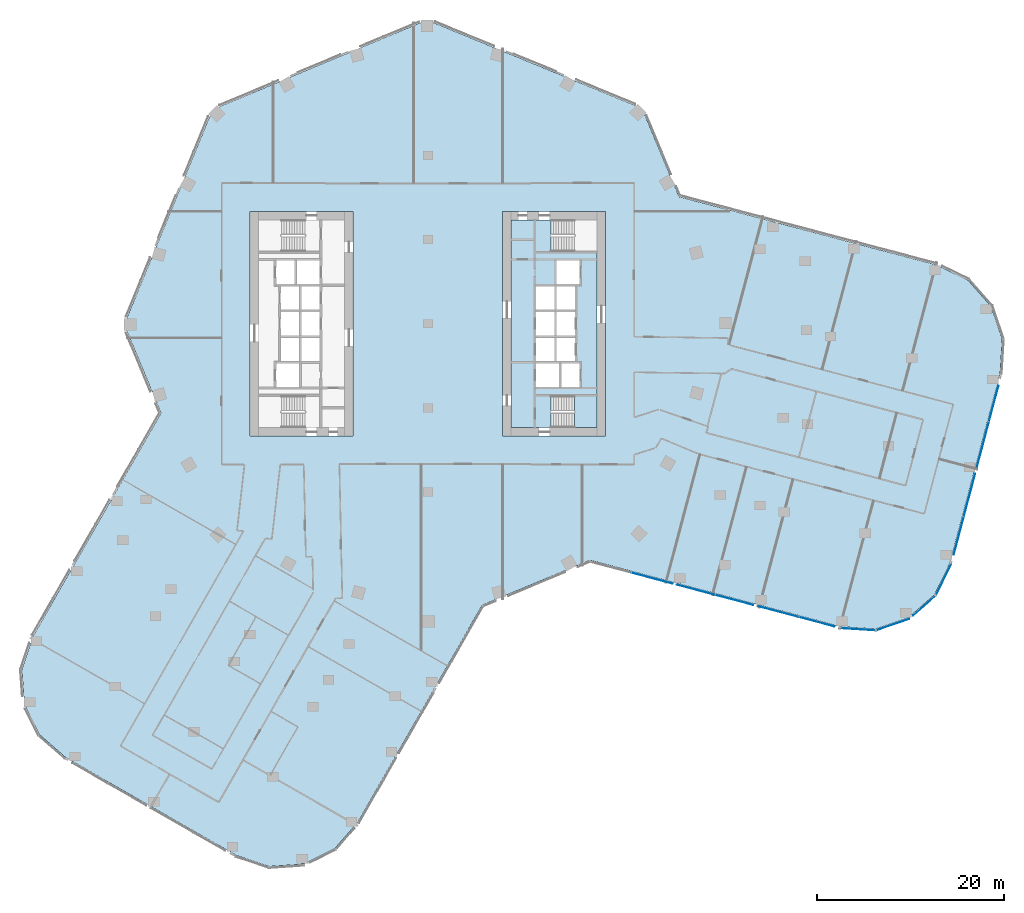
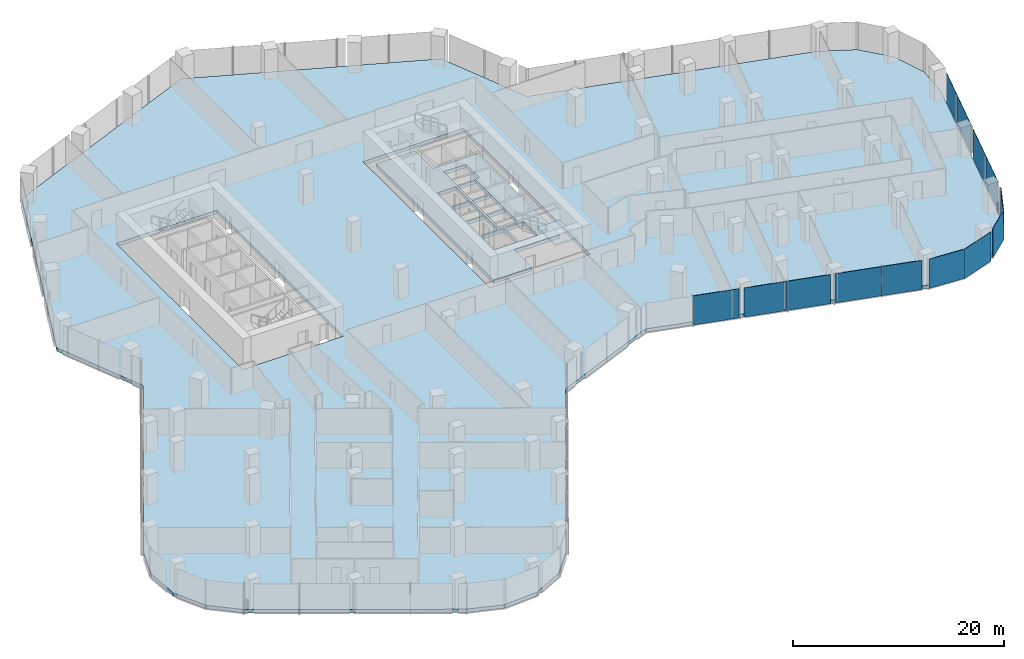
# One storey, part 22 of 34: 13 plates, 3 slabs, 7 elements without a shape of their own.
"""IFC4 building model written with IfcOpenShell, lengths in metres."""

from ifc_helpers import new_model, si_unit, direction, frame, origin, origin_2d, place, context, subcontext, project, spatial, polyline, rectangle, outline, extrude, material, layer, layer_set, type_object, element, aggregate, save


model = new_model("IFC4")

# Units and contexts
model_context = context("Model", 3, precision=1e-05, world=origin(), true_north=direction((0.0, 1.0)))
body_context = subcontext(model_context, "Body", "Model", "MODEL_VIEW")
ifc_project = project(units=[si_unit("LENGTHUNIT", "METRE"), si_unit("AREAUNIT", "SQUARE_METRE"), si_unit("VOLUMEUNIT", "CUBIC_METRE"), si_unit("PLANEANGLEUNIT", "RADIAN"), si_unit("MASSUNIT", "GRAM", prefix="KILO")], contexts=[model_context])

# Site, building, storey
site_placement = place(None, origin())
site = spatial("IfcSite", under=ifc_project, at=site_placement, CompositionType="ELEMENT")
building_placement = place(site_placement, origin())
building = spatial("IfcBuilding", under=site, at=building_placement, Name="Orlundy Tower", CompositionType="ELEMENT")
storey_placement = place(building_placement, frame((0.0, 0.0, 109.199951171875)))
storey = spatial("IfcBuildingStorey", under=building, at=storey_placement, Name="L27", CompositionType="ELEMENT", Elevation=109.199951171875)

# Curtain wall, plates
ifc_material_1 = material(Name="Aluminium bronze anodised", Category="aluminium")
curtain_wall_type = type_object("IfcCurtainWallType", Name="CW1 wall", PredefinedType="NOTDEFINED", material=ifc_material_1)
curtain_wall_1_placement = place(storey_placement, origin())
curtain_wall_1 = element("IfcCurtainWall", 1, at=curtain_wall_1_placement, inside=storey, type_object=curtain_wall_type, Name="CW1 run 00", PredefinedType="NOTDEFINED")
ifc_material_2 = material(Name="Tinted glass", Category="glass")
ifc_layer_1 = layer(ifc_material_2, 0.031982421875)
ifc_layer_set_1 = layer_set([ifc_layer_1], Name="CW1 glass panel 32")
plate_type = type_object("IfcPlateType", Name="CW1 glass panel 32", PredefinedType="CURTAIN_PANEL", material=ifc_layer_set_1)
plate_1_placement = place(storey_placement, frame((41.577392578125, -31.870361328125, -0.27978515625), z_axis=(0.0, 0.0, 1.0), x_axis=(-0.966673796654, 0.256011270968, 0.0)))
plate_1 = element("IfcPlate", 2, at=plate_1_placement, type_object=plate_type, Name="CW1 panel", PredefinedType="CURTAIN_PANEL", context=body_context, shape_type="SweptSolid", body=[
    extrude(rectangle(XDim=3.91357421875, YDim=0.031982421875, at=origin_2d()), origin(), (0.0, 0.0, 1.0), 3.3798828125),
])
plate_2_placement = place(storey_placement, frame((37.4482421875, -30.77685546875, -0.27978515625), z_axis=(0.0, 0.0, 1.0), x_axis=(-0.966673796654, 0.256011270968, 0.0)))
plate_2 = element("IfcPlate", 3, at=plate_2_placement, type_object=plate_type, Name="CW1 panel", PredefinedType="CURTAIN_PANEL", context=body_context, shape_type="SweptSolid", body=[
    extrude(rectangle(XDim=4.529541015625, YDim=0.031982421875, at=origin_2d()), origin(), (0.0, 0.0, 1.0), 3.3798828125),
])
plate_3_placement = place(storey_placement, frame((32.767578125, -29.537109375, -0.27978515625), z_axis=(0.0, 0.0, 1.0), x_axis=(-0.966673796654, 0.256011270968, 0.0)))
plate_3 = element("IfcPlate", 4, at=plate_3_placement, type_object=plate_type, Name="CW1 panel", PredefinedType="CURTAIN_PANEL", context=body_context, shape_type="SweptSolid", body=[
    extrude(rectangle(XDim=4.208984375, YDim=0.031982421875, at=origin_2d()), origin(), (0.0, 0.0, 1.0), 3.3798828125),
])
plate_4_placement = place(storey_placement, frame((28.638916015625, -28.44384765625, -0.27978515625), z_axis=(0.0, 0.0, 1.0), x_axis=(-0.966673796654, 0.256011270968, 0.0)))
plate_4 = element("IfcPlate", 5, at=plate_4_placement, type_object=plate_type, Name="CW1 panel", PredefinedType="CURTAIN_PANEL", context=body_context, shape_type="SweptSolid", body=[
    extrude(rectangle(XDim=4.232666015625, YDim=0.031982421875, at=origin_2d()), origin(), (0.0, 0.0, 1.0), 3.3798828125),
])
plate_5_placement = place(storey_placement, frame((23.957275390625, -27.203857421875, -0.27978515625), z_axis=(0.0, 0.0, 1.0), x_axis=(-0.966673796654, 0.256011270968, 0.0)))
plate_5 = element("IfcPlate", 6, at=plate_5_placement, type_object=plate_type, Name="CW1 panel", PredefinedType="CURTAIN_PANEL", context=body_context, shape_type="SweptSolid", body=[
    extrude(rectangle(XDim=4.503662109375, YDim=0.031982421875, at=origin_2d()), origin(), (0.0, 0.0, 1.0), 3.3798828125),
])
aggregate(curtain_wall_1, [plate_1, plate_2, plate_3, plate_4, plate_5])

curtain_wall_2_placement = place(storey_placement, origin())
curtain_wall_2 = element("IfcCurtainWall", 7, at=curtain_wall_2_placement, inside=storey, type_object=curtain_wall_type, Name="CW1 run 023", PredefinedType="NOTDEFINED")
plate_6_placement = place(storey_placement, frame((60.492431640625, -8.54443359375, -0.27978515625), z_axis=(0.0, 0.0, 1.0), x_axis=(-0.255990719194, -0.966679239296, 0.0)))
plate_6 = element("IfcPlate", 8, at=plate_6_placement, type_object=plate_type, Name="CW1 panel", PredefinedType="CURTAIN_PANEL", context=body_context, shape_type="SweptSolid", body=[
    extrude(rectangle(XDim=3.903076171875, YDim=0.031982421875, at=origin_2d()), origin(), (0.0, 0.0, 1.0), 3.3798828125),
])
plate_7_placement = place(storey_placement, frame((59.342041015625, -12.888916015625, -0.27978515625), z_axis=(0.0, 0.0, 1.0), x_axis=(-0.255990719194, -0.966679239296, 0.0)))
plate_7 = element("IfcPlate", 9, at=plate_7_placement, type_object=plate_type, Name="CW1 panel", PredefinedType="CURTAIN_PANEL", context=body_context, shape_type="SweptSolid", body=[
    extrude(rectangle(XDim=4.985107421875, YDim=0.031982421875, at=origin_2d()), origin(), (0.0, 0.0, 1.0), 3.3798828125),
])
plate_8_placement = place(storey_placement, frame((57.906982421875, -18.308349609375, -0.27978515625), z_axis=(0.0, 0.0, 1.0), x_axis=(-0.255990719194, -0.966679239296, 0.0)))
plate_8 = element("IfcPlate", 10, at=plate_8_placement, type_object=plate_type, Name="CW1 panel", PredefinedType="CURTAIN_PANEL", context=body_context, shape_type="SweptSolid", body=[
    extrude(rectangle(XDim=4.703369140625, YDim=0.031982421875, at=origin_2d()), origin(), (0.0, 0.0, 1.0), 3.3798828125),
])
plate_9_placement = place(storey_placement, frame((56.756591796875, -22.65234375, -0.27978515625), z_axis=(0.0, 0.0, 1.0), x_axis=(-0.255990719194, -0.966679239296, 0.0)))
plate_9 = element("IfcPlate", 11, at=plate_9_placement, type_object=plate_type, Name="CW1 panel", PredefinedType="CURTAIN_PANEL", context=body_context, shape_type="SweptSolid", body=[
    extrude(rectangle(XDim=4.184326171875, YDim=0.031982421875, at=origin_2d()), origin(), (0.0, 0.0, 1.0), 3.3798828125),
])
aggregate(curtain_wall_2, [plate_6, plate_7, plate_8, plate_9])

# Curtain wall, plate
curtain_wall_3_placement = place(storey_placement, origin())
curtain_wall_3 = element("IfcCurtainWall", 12, at=curtain_wall_3_placement, inside=storey, type_object=curtain_wall_type, Name="CW1 run 024", PredefinedType="NOTDEFINED")
plate_10_placement = place(storey_placement, frame((55.119140625, -27.394287109375, -0.27978515625), z_axis=(0.0, 0.0, 1.0), x_axis=(-0.439751990689, -0.898119249702, 0.0)))
plate_10 = element("IfcPlate", 13, at=plate_10_placement, type_object=plate_type, Name="CW1 panel", PredefinedType="CURTAIN_PANEL", context=body_context, shape_type="SweptSolid", body=[
    extrude(rectangle(XDim=3.730224609375, YDim=0.031982421875, at=origin_2d()), origin(), (0.0, 0.0, 1.0), 3.3798828125),
])
aggregate(curtain_wall_3, [plate_10])

curtain_wall_4_placement = place(storey_placement, origin())
curtain_wall_4 = element("IfcCurtainWall", 14, at=curtain_wall_4_placement, inside=storey, type_object=curtain_wall_type, Name="CW1 run 025", PredefinedType="NOTDEFINED")
plate_11_placement = place(storey_placement, frame((53.092041015625, -30.134033203125, -0.27978515625), z_axis=(0.0, 0.0, 1.0), x_axis=(-0.749963804957, -0.661478866824, 0.0)))
plate_11 = element("IfcPlate", 15, at=plate_11_placement, type_object=plate_type, Name="CW1 panel", PredefinedType="CURTAIN_PANEL", context=body_context, shape_type="SweptSolid", body=[
    extrude(rectangle(XDim=3.21875, YDim=0.031982421875, at=origin_2d()), origin(), (0.0, 0.0, 1.0), 3.3798828125),
])
aggregate(curtain_wall_4, [plate_11])

curtain_wall_5_placement = place(storey_placement, origin())
curtain_wall_5 = element("IfcCurtainWall", 16, at=curtain_wall_5_placement, inside=storey, type_object=curtain_wall_type, Name="CW1 run 026", PredefinedType="NOTDEFINED")
plate_12_placement = place(storey_placement, frame((49.686279296875, -32.176025390625, -0.27978515625), z_axis=(0.0, 0.0, 1.0), x_axis=(-0.945950675878, -0.32431052836, 0.0)))
plate_12 = element("IfcPlate", 17, at=plate_12_placement, type_object=plate_type, Name="CW1 panel", PredefinedType="CURTAIN_PANEL", context=body_context, shape_type="SweptSolid", body=[
    extrude(rectangle(XDim=3.771484375, YDim=0.031982421875, at=origin_2d()), origin(), (0.0, 0.0, 1.0), 3.3798828125),
])
aggregate(curtain_wall_5, [plate_12])

curtain_wall_6_placement = place(storey_placement, origin())
curtain_wall_6 = element("IfcCurtainWall", 18, at=curtain_wall_6_placement, inside=storey, type_object=curtain_wall_type, Name="CW1 run 027", PredefinedType="NOTDEFINED")
plate_13_placement = place(storey_placement, frame((46.04052734375, -32.6708984375, -0.27978515625), z_axis=(0.0, 0.0, 1.0), x_axis=(-0.998039963249, 0.06257980311, 0.0)))
plate_13 = element("IfcPlate", 19, at=plate_13_placement, type_object=plate_type, Name="CW1 panel", PredefinedType="CURTAIN_PANEL", context=body_context, shape_type="SweptSolid", body=[
    extrude(rectangle(XDim=3.73095703125, YDim=0.031982421875, at=origin_2d()), origin(), (0.0, 0.0, 1.0), 3.3798828125),
])
aggregate(curtain_wall_6, [plate_13])

# Slab
ifc_material_3 = material(Name="Concrete C50/60", Category="concrete")
ifc_layer_2 = layer(ifc_material_3, 0.409912109375)
ifc_layer_set_2 = layer_set([ifc_layer_2], Name="Core Floor Slab 410")
slab_type_1 = type_object("IfcSlabType", Name="Core Floor Slab 410", PredefinedType="FLOOR", material=ifc_layer_set_2)
slab_1_placement = place(storey_placement, frame((0.0, 0.0, -0.409912109375)))
element("IfcSlab", 20, at=slab_1_placement, inside=storey, type_object=slab_type_1, Name="Core floor E21", PredefinedType="FLOOR", context=body_context, shape_type="SweptSolid", body=[
    extrude(outline(polyline([(13.14501953125, -7.75), (13.14501953125, -11.10009765625), (8.89990234375, -11.10009765625), (8.89990234375, 11.10009765625), (13.14501953125, 11.10009765625), (13.14501953125, 7.75), (18.10009765625, 7.75), (18.10009765625, -7.75), (13.14501953125, -7.75)]), holes=[polyline([(16.239990234375, 6.77490234375), (13.739990234375, 6.77490234375), (13.739990234375, 4.22509765625), (16.239990234375, 4.22509765625), (16.239990234375, 6.77490234375)]), polyline([(13.5400390625, 1.47509765625), (13.5400390625, 4.02490234375), (11.5400390625, 4.02490234375), (11.5400390625, 1.47509765625), (13.5400390625, 1.47509765625)]), polyline([(13.739990234375, 1.47509765625), (15.739990234375, 1.47509765625), (15.739990234375, 4.02490234375), (13.739990234375, 4.02490234375), (13.739990234375, 1.47509765625)]), polyline([(11.5400390625, 1.27490234375), (11.5400390625, -1.27490234375), (13.5400390625, -1.27490234375), (13.5400390625, 1.27490234375), (11.5400390625, 1.27490234375)]), polyline([(15.739990234375, 1.27490234375), (13.739990234375, 1.27490234375), (13.739990234375, -1.27490234375), (15.739990234375, -1.27490234375), (15.739990234375, 1.27490234375)]), polyline([(13.5400390625, -4.02490234375), (13.5400390625, -1.47509765625), (11.5400390625, -1.47509765625), (11.5400390625, -4.02490234375), (13.5400390625, -4.02490234375)]), polyline([(13.739990234375, -4.02490234375), (15.739990234375, -4.02490234375), (15.739990234375, -1.47509765625), (13.739990234375, -1.47509765625), (13.739990234375, -4.02490234375)]), polyline([(11.5400390625, -4.22509765625), (11.5400390625, -6.77490234375), (14.0400390625, -6.77490234375), (14.0400390625, -4.22509765625), (11.5400390625, -4.22509765625)]), polyline([(16.239990234375, -4.22509765625), (14.239990234375, -4.22509765625), (14.239990234375, -6.77490234375), (16.239990234375, -6.77490234375), (16.239990234375, -4.22509765625)])]), origin(), (0.0, 0.0, 1.0), 0.409912109375),
])

# Stair, slab
ifc_material_4 = material(Name="Concrete C50/60", Category="concrete")
stair_type = type_object("IfcStairType", Name="Exit Stair 20 risers", PredefinedType="HALF_TURN_STAIR", material=ifc_material_4)
stair_placement = place(storey_placement, origin())
stair = element("IfcStair", 21, at=stair_placement, inside=storey, type_object=stair_type, Name="L27 Exit Stair ST-E1", PredefinedType="HALF_TURN_STAIR")
ifc_material_5 = material(Name="Concrete C50/60", Category="concrete")
ifc_layer_3 = layer(ifc_material_5, 0.199951171875)
ifc_layer_set_3 = layer_set([ifc_layer_3], Name="Exit Stair Landing")
slab_type_2 = type_object("IfcSlabType", Name="Exit Stair Landing", PredefinedType="LANDING", material=ifc_layer_set_3)
slab_2_placement = place(storey_placement, frame((0.0, 0.0, 1.550048828125)))
slab_2 = element("IfcSlab", 22, at=slab_2_placement, type_object=slab_type_2, Name="ST-E1 landing 1", PredefinedType="LANDING", context=body_context, shape_type="SweptSolid", body=[
    extrude(outline(polyline([(15.659912109375, -11.10009765625), (18.10009765625, -11.10009765625), (18.10009765625, -7.75), (15.659912109375, -7.75), (15.659912109375, -11.10009765625)])), origin(), (0.0, 0.0, 1.0), 0.199951171875),
])
aggregate(stair, [slab_2])

# Slab
ifc_material_6 = material(Name="Concrete C45/55", Category="concrete")
ifc_layer_4 = layer(ifc_material_6, 0.39990234375)
ifc_layer_set_4 = layer_set([ifc_layer_4], Name="FLOOR SLAB THICK 400 C45/55")
slab_type_3 = type_object("IfcSlabType", Name="FLOOR SLAB THICK 400 C45/55", PredefinedType="FLOOR", material=ifc_layer_set_4)
slab_3_placement = place(storey_placement, frame((0.0, 0.0, -0.39990234375)))
element("IfcSlab", 23, at=slab_3_placement, inside=storey, type_object=slab_type_3, Name="Floor slab L27", PredefinedType="FLOOR", context=body_context, shape_type="SweptSolid", body=[
    extrude(outline(polyline([(17.322021484375, -25.277099609375), (5.800048828125, -30.089111328125), (-7.52392578125, -53.322998046875), (-9.9599609375, -56.116943359375), (-13.280029296875, -57.76611328125), (-16.97802734375, -58.02001953125), (-20.490966796875, -56.837890625), (-38.7080078125, -46.39111328125), (-41.501953125, -43.955078125), (-43.152099609375, -40.635986328125), (-43.405029296875, -36.93798828125), (-42.222900390625, -33.424072265625), (-28.527099609375, -9.541015625), (-32.471923828125, -0.093994140625), (-23.028076171875, 22.89404296875), (-0.093994140625, 32.471923828125), (22.89404296875, 23.028076171875), (26.839111328125, 13.58203125), (54.4208984375, 6.277099609375), (57.75, 4.64697265625), (60.201904296875, 1.867919921875), (61.404052734375, -1.638916015625), (61.172119140625, -5.337890625), (55.7958984375, -25.638916015625), (54.166015625, -28.968017578125), (51.385986328125, -31.419921875), (47.8798828125, -32.6220703125), (44.179931640625, -32.389892578125), (17.322021484375, -25.277099609375)]), holes=[polyline([(-8.0, -12.0), (-8.0, 12.0), (-19.0, 12.0), (-19.0, -12.0), (-8.0, -12.0)]), polyline([(19.0, -12.0), (19.0, 12.0), (8.0, 12.0), (8.0, -12.0), (19.0, -12.0)])]), origin(), (0.0, 0.0, 1.0), 0.39990234375),
])

save(model, "model.ifc")
